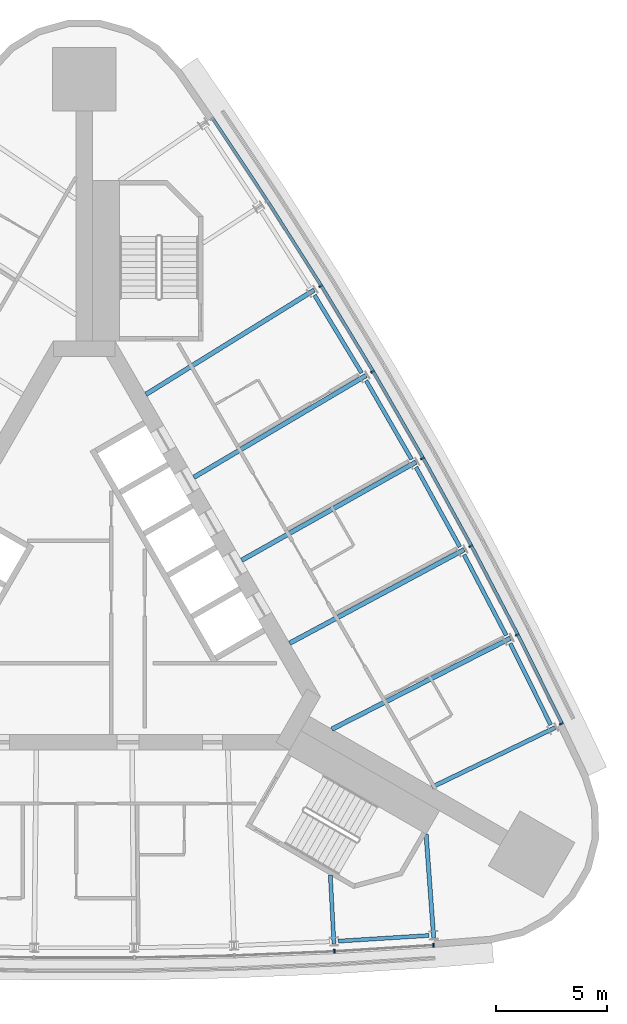
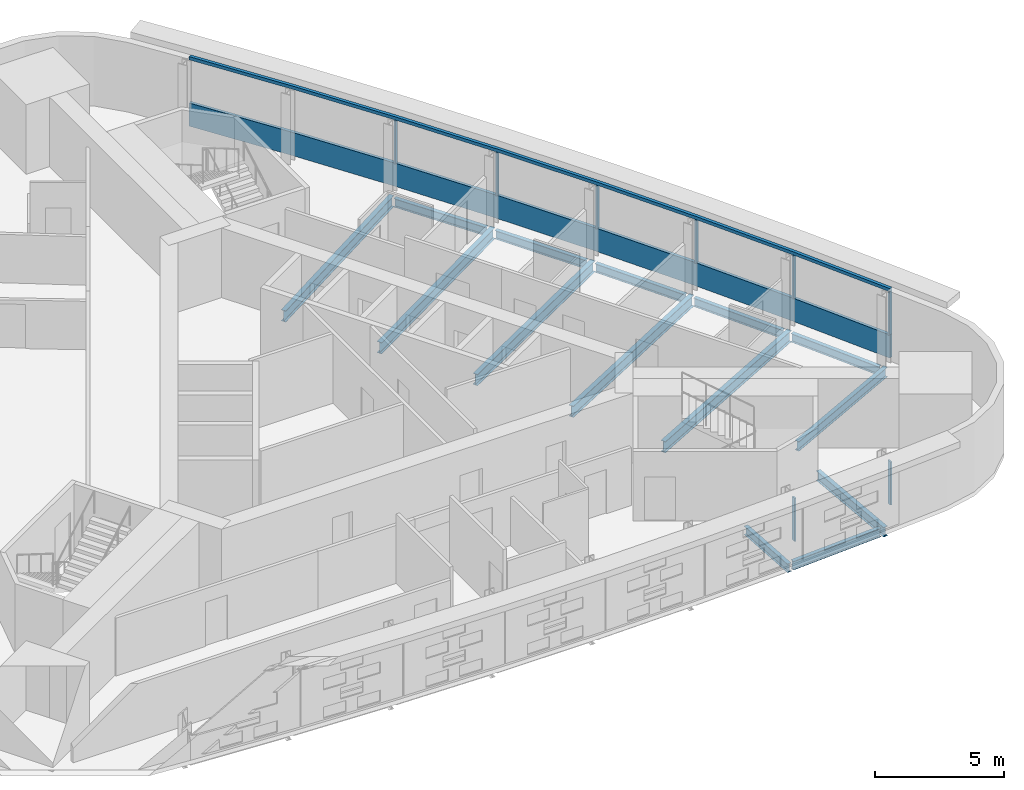
# One storey, part 5 of 12: 14 beams, 10 members, 2 elements without a shape of their own.
"""IFC4 building model written with IfcOpenShell, lengths in metres."""

import ifcopenshell
import ifcopenshell.guid

model = None  # the IFC model being written
_history = None  # IfcOwnerHistory: only IFC2X3 demands one
_inside = {}  # id of a spatial element -> (the spatial element, [elements in it])
_under = {}  # id of a project, library or spatial element -> (it, [spatial elements below it])
_declared = {}  # id of a project -> (the project, [libraries it declares])
_typed = {}  # id of a type object -> (the type object, [elements of that type])
_made_of = {}  # id of a material, layer set ... -> (it, [elements and type objects made of it])


def new_model(schema):
    """Start an empty IFC model of exactly this schema.

    Asked for "IFC4X3", IfcOpenShell would pick the latest addendum, in which some entities
    have other attributes; the version numbers below select the first issue.
    IFC2X3 requires an IfcOwnerHistory on every rooted entity: one is made here for all.
    """
    global model, _history
    if schema == "IFC4X3":
        model = ifcopenshell.file(schema_version=(4, 3, 0, 0))
    else:
        model = ifcopenshell.file(schema=schema)
    _inside.clear()
    _under.clear()
    _declared.clear()
    _typed.clear()
    _made_of.clear()
    _history = None
    if model.schema == "IFC2X3":
        org = make("IfcOrganization", Name="unknown")
        user = make(
            "IfcPersonAndOrganization",
            ThePerson=make("IfcPerson", FamilyName="unknown"),
            TheOrganization=org,
        )
        app = make(
            "IfcApplication",
            ApplicationDeveloper=org,
            Version="unknown",
            ApplicationFullName="unknown",
            ApplicationIdentifier="unknown",
        )
        _history = make(
            "IfcOwnerHistory",
            OwningUser=user,
            OwningApplication=app,
            ChangeAction="ADDED",
            CreationDate=0,
        )
    return model


def make(cls, **values):
    """One entity of the class cls with the attributes given. An attribute that is None is left unset."""
    return model.create_entity(
        cls, **{name: value for name, value in values.items() if value is not None}
    )


def rooted(cls, **values):
    """An entity with a GlobalId (a new one), such as an element, a storey or a relation."""
    return make(cls, GlobalId=ifcopenshell.guid.new(), OwnerHistory=_history, **values)


def si_unit(unit_type, name, prefix=None):
    """IfcSIUnit, for example si_unit("LENGTHUNIT", "METRE", prefix="MILLI")."""
    return make("IfcSIUnit", UnitType=unit_type, Prefix=prefix, Name=name)


def assignment(units):
    """IfcUnitAssignment: the units of a project."""
    return None if units is None else make("IfcUnitAssignment", Units=units)


def point(xyz):
    """IfcCartesianPoint."""
    return None if xyz is None else make("IfcCartesianPoint", Coordinates=xyz)


def direction(xyz):
    """IfcDirection."""
    return None if xyz is None else make("IfcDirection", DirectionRatios=xyz)


def frame(location, z_axis=None, x_axis=None):
    """IfcAxis2Placement3D, a coordinate frame: its origin and axes. An axis left out is left unset."""
    return make(
        "IfcAxis2Placement3D",
        Location=point(location),
        Axis=direction(z_axis),
        RefDirection=direction(x_axis),
    )


def frame_2d(location, x_axis=None):
    """IfcAxis2Placement2D, a coordinate frame in the plane: its origin and x axis."""
    return make(
        "IfcAxis2Placement2D", Location=point(location), RefDirection=direction(x_axis)
    )


def origin():
    """The frame at (0, 0, 0) with its axes left unset."""
    return frame((0.0, 0.0, 0.0))


def origin_2d():
    """The frame at (0, 0) in the plane with its x axis left unset."""
    return frame_2d((0.0, 0.0))


def place(relative_to, where):
    """IfcLocalPlacement: puts the frame where relative to a parent placement (None: the world)."""
    return make(
        "IfcLocalPlacement", PlacementRelTo=relative_to, RelativePlacement=where
    )


def context(
    kind, dimensions, precision=None, world=None, true_north=None, identifier=None
):
    """IfcGeometricRepresentationContext, for example the 3D "Model" context."""
    return make(
        "IfcGeometricRepresentationContext",
        ContextIdentifier=identifier,
        ContextType=kind,
        CoordinateSpaceDimension=dimensions,
        Precision=precision,
        WorldCoordinateSystem=world,
        TrueNorth=true_north,
    )


def subcontext(parent, identifier, kind, view, scale=None):
    """IfcGeometricRepresentationSubContext, for example "Body" below "Model"."""
    return make(
        "IfcGeometricRepresentationSubContext",
        ContextIdentifier=identifier,
        ContextType=kind,
        ParentContext=parent,
        TargetScale=scale,
        TargetView=view,
    )


def project(units=None, contexts=None):
    """IfcProject with its units and contexts."""
    return rooted(
        "IfcProject",
        Name="project",
        RepresentationContexts=contexts,
        UnitsInContext=assignment(units),
    )


def spatial(cls, under=None, at=None, **own):
    """A site, building, storey or space (cls), placed at a placement, below another one or the project."""
    s = rooted(cls, ObjectPlacement=at, **own)
    if under is not None:
        _under.setdefault(under.id(), (under, []))[1].append(s)
    return s


def polyline(points):
    """IfcPolyline through the points."""
    return make("IfcPolyline", Points=[point(p) for p in points])


def profile(cls, at=None, kind="AREA", **sizes):
    """A parametric profile (cls). Its sizes go by their IFC names, for example OverallWidth=200.0."""
    return make(cls, ProfileType=kind, Position=at, **sizes)


def rectangle(**sizes):
    """IfcRectangleProfileDef."""
    return profile("IfcRectangleProfileDef", **sizes)


def i_section(**sizes):
    """IfcIShapeProfileDef."""
    return profile("IfcIShapeProfileDef", **sizes)


def outline(outer, holes=None, kind="AREA"):
    """IfcArbitraryClosedProfileDef: a profile drawn as a closed curve; with holes, ...WithVoids."""
    if holes is None:
        return make("IfcArbitraryClosedProfileDef", ProfileType=kind, OuterCurve=outer)
    return make(
        "IfcArbitraryProfileDefWithVoids",
        ProfileType=kind,
        OuterCurve=outer,
        InnerCurves=holes,
    )


def extrude(swept, where, along, depth):
    """IfcExtrudedAreaSolid: the profile swept, set in the frame where, extruded along a direction by depth."""
    return make(
        "IfcExtrudedAreaSolid",
        SweptArea=swept,
        Position=where,
        ExtrudedDirection=direction(along),
        Depth=depth,
    )


def shape(context_of_items, identifier, shape_type, items):
    """IfcShapeRepresentation: the items that make up one representation, for example the "Body"."""
    return make(
        "IfcShapeRepresentation",
        ContextOfItems=context_of_items,
        RepresentationIdentifier=identifier,
        RepresentationType=shape_type,
        Items=items,
    )


def material(Name=None, Category=None):
    """IfcMaterial."""
    return make("IfcMaterial", Name=Name, Category=Category)


def material_profile(
    of_material, cross_section, Name=None, Category=None, Priority=None
):
    """IfcMaterialProfile: a cross section and its material."""
    return make(
        "IfcMaterialProfile",
        Name=Name,
        Material=of_material,
        Profile=cross_section,
        Priority=Priority,
        Category=Category,
    )


def profile_set(profiles, Name=None, composite=None):
    """IfcMaterialProfileSet."""
    return make(
        "IfcMaterialProfileSet",
        Name=Name,
        MaterialProfiles=profiles,
        CompositeProfile=composite,
    )


def made_of(thing, what):
    """Note that an element or type object is made of a material, layer set ...; save() writes the relation."""
    if what is not None:
        _made_of.setdefault(what.id(), (what, []))[1].append(thing)
    return thing


def type_object(cls, material=None, **own):
    """A type object (cls), such as IfcWallType, which elements share."""
    return made_of(rooted(cls, **own), material)


def element(
    cls,
    number,
    at=None,
    inside=None,
    cuts=None,
    type_object=None,
    material=None,
    context=None,
    identifier="Body",
    shape_type=None,
    held_by="IfcProductDefinitionShape",
    body=None,
    shapes=None,
    **own,
):
    """One element of the class cls, such as IfcWall. Its Tag is "e" and its number.

    at: its placement. inside: the storey or other place that contains it. cuts: it is an
    opening in that element (IfcRelVoidsElement). A single representation is given by context,
    identifier, shape_type and body (its items); several are given by shapes. held_by: the class
    of the entity that holds the representations. save() writes the other relations.
    """
    e = rooted(cls, Tag="e%d" % number, ObjectPlacement=at, **own)
    if body is not None:
        shapes = [shape(context, identifier, shape_type, body)]
    if shapes is not None:
        e.Representation = make(held_by, Representations=shapes)
    if inside is not None:
        _inside.setdefault(inside.id(), (inside, []))[1].append(e)
    if cuts is not None:
        rooted(
            "IfcRelVoidsElement", RelatingBuildingElement=cuts, RelatedOpeningElement=e
        )
    if type_object is not None:
        _typed.setdefault(type_object.id(), (type_object, []))[1].append(e)
    return made_of(e, material)


def aggregate(whole, parts):
    """IfcRelAggregates: a whole, such as a stair, and the parts it consists of."""
    return rooted("IfcRelAggregates", RelatingObject=whole, RelatedObjects=parts)


def save(model, path):
    """Write the relations noted so far, then the file.

    IfcRelAggregates (storeys below a building ...), IfcRelContainedInSpatialStructure (elements
    in a storey), IfcRelDefinesByType, IfcRelAssociatesMaterial and IfcRelDeclares: one each for
    every whole, place, type object, material and project.
    """
    for whole, parts in _under.values():
        aggregate(whole, parts)
    for where, things in _inside.values():
        rooted(
            "IfcRelContainedInSpatialStructure",
            RelatedElements=things,
            RelatingStructure=where,
        )
    for kind, things in _typed.values():
        rooted("IfcRelDefinesByType", RelatedObjects=things, RelatingType=kind)
    for what, things in _made_of.values():
        rooted("IfcRelAssociatesMaterial", RelatedObjects=things, RelatingMaterial=what)
    for by, libraries in _declared.values():
        rooted("IfcRelDeclares", RelatingContext=by, RelatedDefinitions=libraries)
    model.write(path)


model = new_model("IFC4")

# Units and contexts
model_context = context("Model", 3, precision=1e-05, world=origin(), true_north=direction((0.0, 1.0)))
body_context = subcontext(model_context, "Body", "Model", "MODEL_VIEW")
ifc_project = project(units=[si_unit("LENGTHUNIT", "METRE"), si_unit("AREAUNIT", "SQUARE_METRE"), si_unit("VOLUMEUNIT", "CUBIC_METRE"), si_unit("PLANEANGLEUNIT", "RADIAN"), si_unit("MASSUNIT", "GRAM", prefix="KILO")], contexts=[model_context])

# Site, building, storey
site_placement = place(None, origin())
site = spatial("IfcSite", under=ifc_project, at=site_placement, CompositionType="ELEMENT")
building_placement = place(site_placement, origin())
building = spatial("IfcBuilding", under=site, at=building_placement, Name="Noor Cloister Tower", CompositionType="ELEMENT")
storey_placement = place(building_placement, frame((0.0, 0.0, 165.300048828125)))
storey = spatial("IfcBuildingStorey", under=building, at=storey_placement, Name="L42", CompositionType="ELEMENT", Elevation=165.300048828125)

# Curtain wall, member
ifc_material_1 = material(Name="Aluminium 6063-T6 anodised", Category="aluminium")
curtain_wall_type = type_object("IfcCurtainWallType", Name="Ribbon curtain wall, upper tower CW5", PredefinedType="NOTDEFINED", material=ifc_material_1)
curtain_wall_1_placement = place(storey_placement, origin())
curtain_wall_1 = element("IfcCurtainWall", 1, at=curtain_wall_1_placement, inside=storey, type_object=curtain_wall_type, Name="CW5 L42 NE run 3", PredefinedType="NOTDEFINED")
ifc_material_2 = material(Name="Aluminium 6063-T6 anodised", Category="aluminium")
member_type_1 = type_object("IfcMemberType", Name="Head transom CW5 150", PredefinedType="USERDEFINED", material=ifc_material_2)
member_1_placement = place(storey_placement, frame((0.0, 0.0, 3.14990234375)))
member_1 = element("IfcMember", 2, at=member_1_placement, type_object=member_type_1, Name="CW5 head transom", ObjectType="TRANSOM", PredefinedType="USERDEFINED", context=body_context, shape_type="SweptSolid", body=[
    extrude(outline(polyline([(21.54541015625, -5.73095703125), (19.544677734375, -1.7001953125), (17.4599609375, 2.28759765625), (15.2919921875, 6.23095703125), (13.0419921875, 10.1279296875), (10.7109375, 13.97705078125), (8.2998046875, 17.7763671875), (5.8095703125, 21.5244140625), (5.69287109375, 21.447021484375), (8.182373046875, 17.7001953125), (10.592041015625, 13.903076171875), (12.921630859375, 10.056640625), (15.170166015625, 6.162109375), (17.33642578125, 2.221435546875), (19.419921875, -1.763916015625), (21.420166015625, -5.793212890625), (21.54541015625, -5.73095703125)])), origin(), (0.0, 0.0, 1.0), 0.150146484375),
])

# Curtain wall, members
curtain_wall_2_placement = place(storey_placement, origin())
curtain_wall_2 = element("IfcCurtainWall", 3, at=curtain_wall_2_placement, inside=storey, type_object=curtain_wall_type, Name="CW5 L42 S run 2", PredefinedType="NOTDEFINED")
ifc_material_3 = material(Name="Aluminium 6063-T6 anodised", Category="aluminium")
ifc_material_profile_1 = material_profile(ifc_material_3, rectangle(XDim=0.179931640625, YDim=0.070068359375, at=origin_2d()), Name="180 x 70 mullion")
ifc_profile_set_1 = profile_set([ifc_material_profile_1], Name="Aluminium 6063-T6 anodised")
member_type_2 = type_object("IfcMemberType", Name="Mullion CW5 70 x 180", PredefinedType="MULLION", material=ifc_profile_set_1)
member_2_placement = place(storey_placement, frame((11.23974609375, -15.97607421875, 1.099853515625), z_axis=(0.0, 0.0, 1.0), x_axis=(-0.052341986805, 0.998629218688, 0.0)))
member_2 = element("IfcMember", 4, at=member_2_placement, type_object=member_type_2, Name="CW5 mullion 7", PredefinedType="MULLION", context=body_context, shape_type="SweptSolid", body=[
    extrude(rectangle(XDim=0.179931640625, YDim=0.070068359375, at=origin_2d()), origin(), (0.0, 0.0, 1.0), 2.050048828125),
])
member_3_placement = place(storey_placement, frame((15.694580078125, -15.69580078125, 1.099853515625), z_axis=(0.0, 0.0, 1.0), x_axis=(-0.062797748351, 0.998026273603, 0.0)))
member_3 = element("IfcMember", 5, at=member_3_placement, type_object=member_type_2, Name="CW5 mullion 8", PredefinedType="MULLION", context=body_context, shape_type="SweptSolid", body=[
    extrude(rectangle(XDim=0.179931640625, YDim=0.070068359375, at=origin_2d()), origin(), (0.0, 0.0, 1.0), 2.050048828125),
])
aggregate(curtain_wall_2, [member_2, member_3])

# Member
member_4_placement = place(storey_placement, frame((21.4404296875, -5.744140625, 1.099853515625), z_axis=(0.0, 0.0, 1.0), x_axis=(-0.89571498076, -0.444628691429, 0.0)))
member_4 = element("IfcMember", 6, at=member_4_placement, type_object=member_type_2, Name="CW5 mullion 1", PredefinedType="MULLION", context=body_context, shape_type="SweptSolid", body=[
    extrude(rectangle(XDim=0.179931640625, YDim=0.070068359375, at=origin_2d()), origin(), (0.0, 0.0, 1.0), 2.050048828125),
])

member_5_placement = place(storey_placement, frame((19.45556640625, -1.74560546875, 1.099853515625), z_axis=(0.0, 0.0, 1.0), x_axis=(-0.891009265748, -0.453985119086, 0.0)))
member_5 = element("IfcMember", 7, at=member_5_placement, type_object=member_type_2, Name="CW5 mullion 2", PredefinedType="MULLION", context=body_context, shape_type="SweptSolid", body=[
    extrude(rectangle(XDim=0.179931640625, YDim=0.070068359375, at=origin_2d()), origin(), (0.0, 0.0, 1.0), 2.050048828125),
])

member_6_placement = place(storey_placement, frame((17.371826171875, 2.240234375, 1.099853515625), z_axis=(0.0, 0.0, 1.0), x_axis=(-0.881305167553, -0.472547565483, 0.0)))
member_6 = element("IfcMember", 8, at=member_6_placement, type_object=member_type_2, Name="CW5 mullion 3", PredefinedType="MULLION", context=body_context, shape_type="SweptSolid", body=[
    extrude(rectangle(XDim=0.179931640625, YDim=0.070068359375, at=origin_2d()), origin(), (0.0, 0.0, 1.0), 2.050048828125),
])

member_7_placement = place(storey_placement, frame((15.204833984375, 6.181640625, 1.099853515625), z_axis=(0.0, 0.0, 1.0), x_axis=(-0.871214402304, -0.490902704432, 0.0)))
member_7 = element("IfcMember", 9, at=member_7_placement, type_object=member_type_2, Name="CW5 mullion 4", PredefinedType="MULLION", context=body_context, shape_type="SweptSolid", body=[
    extrude(rectangle(XDim=0.179931640625, YDim=0.070068359375, at=origin_2d()), origin(), (0.0, 0.0, 1.0), 2.050048828125),
])

member_8_placement = place(storey_placement, frame((12.9560546875, 10.076904296875, 1.099853515625), z_axis=(0.0, 0.0, 1.0), x_axis=(-0.860741413976, -0.509042452322, 0.0)))
member_8 = element("IfcMember", 10, at=member_8_placement, type_object=member_type_2, Name="CW5 mullion 5", PredefinedType="MULLION", context=body_context, shape_type="SweptSolid", body=[
    extrude(rectangle(XDim=0.179931640625, YDim=0.070068359375, at=origin_2d()), origin(), (0.0, 0.0, 1.0), 2.050048828125),
])

member_9_placement = place(storey_placement, frame((10.6259765625, 13.92431640625, 1.099853515625), z_axis=(0.0, 0.0, 1.0), x_axis=(-0.849890779982, -0.526958880846, 0.0)))
member_9 = element("IfcMember", 11, at=member_9_placement, type_object=member_type_2, Name="CW5 mullion 6", PredefinedType="MULLION", context=body_context, shape_type="SweptSolid", body=[
    extrude(rectangle(XDim=0.179931640625, YDim=0.070068359375, at=origin_2d()), origin(), (0.0, 0.0, 1.0), 2.050048828125),
])

# Beams
ifc_material_4 = material(Name="Steel ASTM A992 Gr 50", Category="steel")
ifc_material_profile_2 = material_profile(ifc_material_4, i_section(OverallWidth=0.177978515625, OverallDepth=0.406005859375, WebThickness=0.0078125, FlangeThickness=0.0126953125, FilletRadius=0.01025390625, at=origin_2d()), Name="W410x60")
ifc_profile_set_2 = profile_set([ifc_material_profile_2], Name="Steel ASTM A992 Gr 50")
beam_type_1 = type_object("IfcBeamType", Name="Radial beam W410x60", PredefinedType="BEAM", material=ifc_profile_set_2)
beam_1_placement = place(storey_placement, frame((11.2216796875, -15.633544921875, -0.403076171875), z_axis=(-0.052359869549, 0.998628281224, 0.0), x_axis=(-0.998628281224, -0.052359869549, 0.0)))
element("IfcBeam", 12, at=beam_1_placement, inside=storey, type_object=beam_type_1, Name="Radial beam S 07 L42", PredefinedType="BEAM", context=body_context, shape_type="SweptSolid", body=[
    extrude(i_section(OverallWidth=0.177978515625, OverallDepth=0.406005859375, WebThickness=0.0078125, FlangeThickness=0.0126953125, FilletRadius=0.01025390625, at=origin_2d()), origin(), (0.0, 0.0, 1.0), 3.09130859375),
])
ifc_material_5 = material(Name="Steel ASTM A992 Gr 50", Category="steel")
ifc_material_profile_3 = material_profile(ifc_material_5, i_section(OverallWidth=0.19091796875, OverallDepth=0.45703125, WebThickness=0.009033203125, FlangeThickness=0.014404296875, FilletRadius=0.01025390625, at=origin_2d()), Name="W460x74")
ifc_profile_set_3 = profile_set([ifc_material_profile_3], Name="Steel ASTM A992 Gr 50")
beam_type_2 = type_object("IfcBeamType", Name="Radial beam W460x74", PredefinedType="BEAM", material=ifc_profile_set_3)
beam_2_placement = place(storey_placement, frame((15.703369140625, -15.3515625, -0.428466796875), z_axis=(-0.073254033164, 0.997313314172, 0.0), x_axis=(-0.997313314172, -0.073254033164, 0.0)))
element("IfcBeam", 13, at=beam_2_placement, inside=storey, type_object=beam_type_2, Name="Radial beam S 08 L42", PredefinedType="BEAM", context=body_context, shape_type="SweptSolid", body=[
    extrude(i_section(OverallWidth=0.19091796875, OverallDepth=0.45703125, WebThickness=0.009033203125, FlangeThickness=0.014404296875, FilletRadius=0.01025390625, at=origin_2d()), origin(), (0.0, 0.0, 1.0), 4.6591796875),
])
beam_3_placement = place(storey_placement, frame((21.146728515625, -5.923828125, -0.428466796875), z_axis=(-0.900323455308, -0.435221410115, 0.0), x_axis=(0.435221410115, -0.900323455308, 0.0)))
element("IfcBeam", 14, at=beam_3_placement, inside=storey, type_object=beam_type_2, Name="Radial beam NE 01 L42", PredefinedType="BEAM", context=body_context, shape_type="SweptSolid", body=[
    extrude(i_section(OverallWidth=0.19091796875, OverallDepth=0.45703125, WebThickness=0.009033203125, FlangeThickness=0.014404296875, FilletRadius=0.01025390625, at=origin_2d()), origin(), (0.0, 0.0, 1.0), 6.1279296875),
])
ifc_material_6 = material(Name="Steel ASTM A992 Gr 50", Category="steel")
ifc_material_profile_4 = material_profile(ifc_material_6, i_section(OverallWidth=0.208984375, OverallDepth=0.532958984375, WebThickness=0.01025390625, FlangeThickness=0.015625, FilletRadius=0.0126953125, at=origin_2d()), Name="W530x92")
ifc_profile_set_4 = profile_set([ifc_material_profile_4], Name="Steel ASTM A992 Gr 50")
beam_type_3 = type_object("IfcBeamType", Name="Radial beam W530x92", PredefinedType="BEAM", material=ifc_profile_set_4)
beam_4_placement = place(storey_placement, frame((19.14990234375, -1.9013671875, -0.466552734375), z_axis=(-0.891002050303, -0.453999280127, 0.0), x_axis=(0.453999280127, -0.891002050303, 0.0)))
element("IfcBeam", 15, at=beam_4_placement, inside=storey, type_object=beam_type_3, Name="Radial beam NE 02 L42", PredefinedType="BEAM", context=body_context, shape_type="SweptSolid", body=[
    extrude(i_section(OverallWidth=0.208984375, OverallDepth=0.532958984375, WebThickness=0.01025390625, FlangeThickness=0.015625, FilletRadius=0.0126953125, at=origin_2d()), origin(), (0.0, 0.0, 1.0), 9.00634765625),
])
beam_5_placement = place(storey_placement, frame((17.069580078125, 2.078125, -0.466552734375), z_axis=(-0.881310226852, -0.472538129727, 0.0), x_axis=(0.472538129727, -0.881310226852, 0.0)))
element("IfcBeam", 16, at=beam_5_placement, inside=storey, type_object=beam_type_3, Name="Radial beam NE 03 L42", PredefinedType="BEAM", context=body_context, shape_type="SweptSolid", body=[
    extrude(i_section(OverallWidth=0.208984375, OverallDepth=0.532958984375, WebThickness=0.01025390625, FlangeThickness=0.015625, FilletRadius=0.0126953125, at=origin_2d()), origin(), (0.0, 0.0, 1.0), 8.89794921875),
])
for number, where, z_axis, x_axis, name in (
    (17, (14.906005859375, 6.013427734375, -0.466552734375), (-0.871204595241, -0.490920108808, 0.0), (0.490920108808, -0.871204595241, 0.0), "Radial beam NE 04 L42"),
    (18, (12.660888671875, 9.90234375, -0.466552734375), (-0.860751813994, -0.509024866491, 0.0), (0.509024866491, -0.860751813994, 0.0), "Radial beam NE 05 L42"),
):
    element("IfcBeam", number, at=place(storey_placement, frame(where, z_axis=z_axis, x_axis=x_axis)), inside=storey, type_object=beam_type_3, Name=name, PredefinedType="BEAM", context=body_context, shape_type="SweptSolid", body=[
        extrude(i_section(OverallWidth=0.208984375, OverallDepth=0.532958984375, WebThickness=0.01025390625, FlangeThickness=0.015625, FilletRadius=0.0126953125, at=origin_2d()), origin(), (0.0, 0.0, 1.0), 8.988037109375),
    ])
beam_6_placement = place(storey_placement, frame((10.33447265625, 13.743408203125, -0.466552734375), z_axis=(-0.849896547603, -0.526949578586, 0.0), x_axis=(0.526949578586, -0.849896547603, 0.0)))
element("IfcBeam", 19, at=beam_6_placement, inside=storey, type_object=beam_type_3, Name="Radial beam NE 06 L42", PredefinedType="BEAM", context=body_context, shape_type="SweptSolid", body=[
    extrude(i_section(OverallWidth=0.208984375, OverallDepth=0.532958984375, WebThickness=0.01025390625, FlangeThickness=0.015625, FilletRadius=0.0126953125, at=origin_2d()), origin(), (0.0, 0.0, 1.0), 8.89794921875),
])

# Member
ifc_material_7 = material(Name="Aluminium 6063-T6 anodised", Category="aluminium")
member_type_3 = type_object("IfcMemberType", Name="Sill transom CW5 1100", PredefinedType="USERDEFINED", material=ifc_material_7)
member_10_placement = place(storey_placement, origin())
member_10 = element("IfcMember", 20, at=member_10_placement, type_object=member_type_3, Name="CW5 sill transom", ObjectType="TRANSOM", PredefinedType="USERDEFINED", context=body_context, shape_type="SweptSolid", body=[
    extrude(outline(polyline([(21.54541015625, -5.73095703125), (19.544677734375, -1.7001953125), (17.4599609375, 2.28759765625), (15.2919921875, 6.23095703125), (13.0419921875, 10.1279296875), (10.7109375, 13.97705078125), (8.2998046875, 17.7763671875), (5.8095703125, 21.5244140625), (5.69287109375, 21.447021484375), (8.182373046875, 17.7001953125), (10.592041015625, 13.903076171875), (12.921630859375, 10.056640625), (15.170166015625, 6.162109375), (17.33642578125, 2.221435546875), (19.419921875, -1.763916015625), (21.420166015625, -5.793212890625), (21.54541015625, -5.73095703125)])), origin(), (0.0, 0.0, 1.0), 1.099853515625),
])

aggregate(curtain_wall_1, [member_4, member_5, member_6, member_7, member_8, member_9, member_10, member_1])

# Beams
ifc_material_8 = material(Name="Steel ASTM A992 Gr 50", Category="steel")
ifc_material_profile_5 = material_profile(ifc_material_8, i_section(OverallWidth=0.177978515625, OverallDepth=0.406005859375, WebThickness=0.0078125, FlangeThickness=0.0126953125, FilletRadius=0.01025390625, at=origin_2d()), Name="W410x60")
ifc_profile_set_5 = profile_set([ifc_material_profile_5], Name="Steel ASTM A992 Gr 50")
beam_type_4 = type_object("IfcBeamType", Name="Spandrel beam W410x60", PredefinedType="SPANDREL", material=ifc_profile_set_5)
beam_7_placement = place(storey_placement, frame((11.415283203125, -15.51416015625, -0.403076171875), z_axis=(0.998029512808, 0.06274624741, 0.0), x_axis=(-0.06274624741, 0.998029512808, 0.0)))
element("IfcBeam", 21, at=beam_7_placement, inside=storey, type_object=beam_type_4, Name="Spandrel beam S 07 L42", PredefinedType="SPANDREL", context=body_context, shape_type="SweptSolid", body=[
    extrude(i_section(OverallWidth=0.177978515625, OverallDepth=0.406005859375, WebThickness=0.0078125, FlangeThickness=0.0126953125, FilletRadius=0.01025390625, at=origin_2d()), origin(), (0.0, 0.0, 1.0), 4.08935546875),
])
beam_8_placement = place(storey_placement, frame((20.961669921875, -5.791748046875, -0.403076171875), z_axis=(-0.444632770879, 0.895712955729, 0.0), x_axis=(-0.895712955729, -0.444632770879, 0.0)))
element("IfcBeam", 22, at=beam_8_placement, inside=storey, type_object=beam_type_4, Name="Spandrel beam NE 01 L42", PredefinedType="SPANDREL", context=body_context, shape_type="SweptSolid", body=[
    extrude(i_section(OverallWidth=0.177978515625, OverallDepth=0.406005859375, WebThickness=0.0078125, FlangeThickness=0.0126953125, FilletRadius=0.01025390625, at=origin_2d()), origin(), (0.0, 0.0, 1.0), 4.089599609375),
])
beam_9_placement = place(storey_placement, frame((18.962158203125, -1.773193359375, -0.403076171875), z_axis=(-0.463284047748, 0.886209845975, 0.0), x_axis=(-0.886209845975, -0.463284047748, 0.0)))
element("IfcBeam", 23, at=beam_9_placement, inside=storey, type_object=beam_type_4, Name="Spandrel beam NE 02 L42", PredefinedType="SPANDREL", context=body_context, shape_type="SweptSolid", body=[
    extrude(i_section(OverallWidth=0.177978515625, OverallDepth=0.406005859375, WebThickness=0.0078125, FlangeThickness=0.0126953125, FilletRadius=0.01025390625, at=origin_2d()), origin(), (0.0, 0.0, 1.0), 4.08935546875),
])
beam_10_placement = place(storey_placement, frame((16.879150390625, 2.202392578125, -0.403076171875), z_axis=(-0.48176061744, 0.876302862875, 0.0), x_axis=(-0.876302862875, -0.48176061744, 0.0)))
element("IfcBeam", 24, at=beam_10_placement, inside=storey, type_object=beam_type_4, Name="Spandrel beam NE 03 L42", PredefinedType="SPANDREL", context=body_context, shape_type="SweptSolid", body=[
    extrude(i_section(OverallWidth=0.177978515625, OverallDepth=0.406005859375, WebThickness=0.0078125, FlangeThickness=0.0126953125, FilletRadius=0.01025390625, at=origin_2d()), origin(), (0.0, 0.0, 1.0), 4.089599609375),
])
beam_11_placement = place(storey_placement, frame((14.713134765625, 6.133544921875, -0.403076171875), z_axis=(-0.499998074415, 0.866026515518, 0.0), x_axis=(-0.866026515518, -0.499998074415, 0.0)))
element("IfcBeam", 25, at=beam_11_placement, inside=storey, type_object=beam_type_4, Name="Spandrel beam NE 04 L42", PredefinedType="SPANDREL", context=body_context, shape_type="SweptSolid", body=[
    extrude(i_section(OverallWidth=0.177978515625, OverallDepth=0.406005859375, WebThickness=0.0078125, FlangeThickness=0.0126953125, FilletRadius=0.01025390625, at=origin_2d()), origin(), (0.0, 0.0, 1.0), 4.08935546875),
])
beam_12_placement = place(storey_placement, frame((12.46533203125, 10.0185546875, -0.403076171875), z_axis=(-0.518011929621, 0.855373392602, 0.0), x_axis=(-0.855373392602, -0.518011929621, 0.0)))
element("IfcBeam", 26, at=beam_12_placement, inside=storey, type_object=beam_type_4, Name="Spandrel beam NE 05 L42", PredefinedType="SPANDREL", context=body_context, shape_type="SweptSolid", body=[
    extrude(i_section(OverallWidth=0.177978515625, OverallDepth=0.406005859375, WebThickness=0.0078125, FlangeThickness=0.0126953125, FilletRadius=0.01025390625, at=origin_2d()), origin(), (0.0, 0.0, 1.0), 4.089599609375),
])

save(model, "model.ifc")
